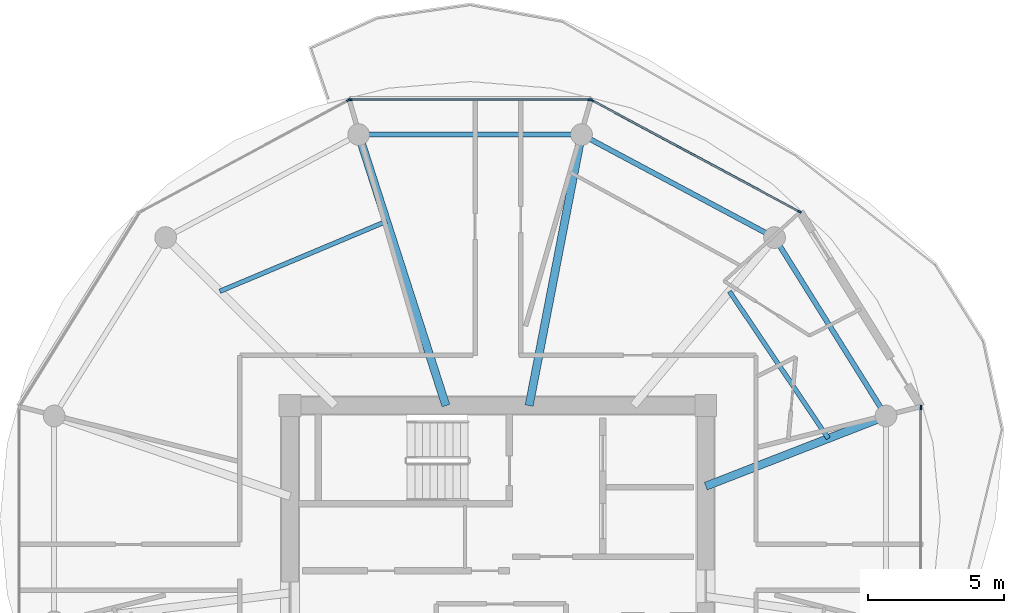
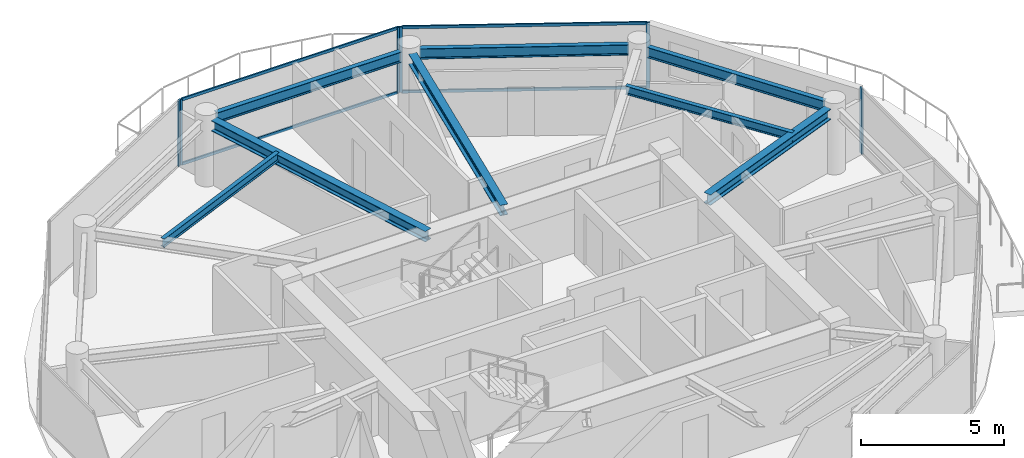
# One storey, part 10 of 23: 10 members, 8 beams, 4 elements without a shape of their own.
"""IFC4 building model written with IfcOpenShell, lengths in metres."""

import ifcopenshell
import ifcopenshell.guid

model = None  # the IFC model being written
_history = None  # IfcOwnerHistory: only IFC2X3 demands one
_inside = {}  # id of a spatial element -> (the spatial element, [elements in it])
_under = {}  # id of a project, library or spatial element -> (it, [spatial elements below it])
_declared = {}  # id of a project -> (the project, [libraries it declares])
_typed = {}  # id of a type object -> (the type object, [elements of that type])
_made_of = {}  # id of a material, layer set ... -> (it, [elements and type objects made of it])


def new_model(schema):
    """Start an empty IFC model of exactly this schema.

    Asked for "IFC4X3", IfcOpenShell would pick the latest addendum, in which some entities
    have other attributes; the version numbers below select the first issue.
    IFC2X3 requires an IfcOwnerHistory on every rooted entity: one is made here for all.
    """
    global model, _history
    if schema == "IFC4X3":
        model = ifcopenshell.file(schema_version=(4, 3, 0, 0))
    else:
        model = ifcopenshell.file(schema=schema)
    _inside.clear()
    _under.clear()
    _declared.clear()
    _typed.clear()
    _made_of.clear()
    _history = None
    if model.schema == "IFC2X3":
        org = make("IfcOrganization", Name="unknown")
        user = make(
            "IfcPersonAndOrganization",
            ThePerson=make("IfcPerson", FamilyName="unknown"),
            TheOrganization=org,
        )
        app = make(
            "IfcApplication",
            ApplicationDeveloper=org,
            Version="unknown",
            ApplicationFullName="unknown",
            ApplicationIdentifier="unknown",
        )
        _history = make(
            "IfcOwnerHistory",
            OwningUser=user,
            OwningApplication=app,
            ChangeAction="ADDED",
            CreationDate=0,
        )
    return model


def make(cls, **values):
    """One entity of the class cls with the attributes given. An attribute that is None is left unset."""
    return model.create_entity(
        cls, **{name: value for name, value in values.items() if value is not None}
    )


def rooted(cls, **values):
    """An entity with a GlobalId (a new one), such as an element, a storey or a relation."""
    return make(cls, GlobalId=ifcopenshell.guid.new(), OwnerHistory=_history, **values)


def si_unit(unit_type, name, prefix=None):
    """IfcSIUnit, for example si_unit("LENGTHUNIT", "METRE", prefix="MILLI")."""
    return make("IfcSIUnit", UnitType=unit_type, Prefix=prefix, Name=name)


def assignment(units):
    """IfcUnitAssignment: the units of a project."""
    return None if units is None else make("IfcUnitAssignment", Units=units)


def point(xyz):
    """IfcCartesianPoint."""
    return None if xyz is None else make("IfcCartesianPoint", Coordinates=xyz)


def direction(xyz):
    """IfcDirection."""
    return None if xyz is None else make("IfcDirection", DirectionRatios=xyz)


def frame(location, z_axis=None, x_axis=None):
    """IfcAxis2Placement3D, a coordinate frame: its origin and axes. An axis left out is left unset."""
    return make(
        "IfcAxis2Placement3D",
        Location=point(location),
        Axis=direction(z_axis),
        RefDirection=direction(x_axis),
    )


def frame_2d(location, x_axis=None):
    """IfcAxis2Placement2D, a coordinate frame in the plane: its origin and x axis."""
    return make(
        "IfcAxis2Placement2D", Location=point(location), RefDirection=direction(x_axis)
    )


def origin():
    """The frame at (0, 0, 0) with its axes left unset."""
    return frame((0.0, 0.0, 0.0))


def origin_2d():
    """The frame at (0, 0) in the plane with its x axis left unset."""
    return frame_2d((0.0, 0.0))


def place(relative_to, where):
    """IfcLocalPlacement: puts the frame where relative to a parent placement (None: the world)."""
    return make(
        "IfcLocalPlacement", PlacementRelTo=relative_to, RelativePlacement=where
    )


def context(
    kind, dimensions, precision=None, world=None, true_north=None, identifier=None
):
    """IfcGeometricRepresentationContext, for example the 3D "Model" context."""
    return make(
        "IfcGeometricRepresentationContext",
        ContextIdentifier=identifier,
        ContextType=kind,
        CoordinateSpaceDimension=dimensions,
        Precision=precision,
        WorldCoordinateSystem=world,
        TrueNorth=true_north,
    )


def subcontext(parent, identifier, kind, view, scale=None):
    """IfcGeometricRepresentationSubContext, for example "Body" below "Model"."""
    return make(
        "IfcGeometricRepresentationSubContext",
        ContextIdentifier=identifier,
        ContextType=kind,
        ParentContext=parent,
        TargetScale=scale,
        TargetView=view,
    )


def project(units=None, contexts=None):
    """IfcProject with its units and contexts."""
    return rooted(
        "IfcProject",
        Name="project",
        RepresentationContexts=contexts,
        UnitsInContext=assignment(units),
    )


def spatial(cls, under=None, at=None, **own):
    """A site, building, storey or space (cls), placed at a placement, below another one or the project."""
    s = rooted(cls, ObjectPlacement=at, **own)
    if under is not None:
        _under.setdefault(under.id(), (under, []))[1].append(s)
    return s


def profile(cls, at=None, kind="AREA", **sizes):
    """A parametric profile (cls). Its sizes go by their IFC names, for example OverallWidth=200.0."""
    return make(cls, ProfileType=kind, Position=at, **sizes)


def rectangle(**sizes):
    """IfcRectangleProfileDef."""
    return profile("IfcRectangleProfileDef", **sizes)


def i_section(**sizes):
    """IfcIShapeProfileDef."""
    return profile("IfcIShapeProfileDef", **sizes)


def extrude(swept, where, along, depth):
    """IfcExtrudedAreaSolid: the profile swept, set in the frame where, extruded along a direction by depth."""
    return make(
        "IfcExtrudedAreaSolid",
        SweptArea=swept,
        Position=where,
        ExtrudedDirection=direction(along),
        Depth=depth,
    )


def shape(context_of_items, identifier, shape_type, items):
    """IfcShapeRepresentation: the items that make up one representation, for example the "Body"."""
    return make(
        "IfcShapeRepresentation",
        ContextOfItems=context_of_items,
        RepresentationIdentifier=identifier,
        RepresentationType=shape_type,
        Items=items,
    )


def source(mapping_origin, context_of_items, identifier, shape_type, items):
    """IfcRepresentationMap: a shape defined once, which mapped items show again and again."""
    return make(
        "IfcRepresentationMap",
        MappingOrigin=mapping_origin,
        MappedRepresentation=shape(context_of_items, identifier, shape_type, items),
    )


def transform(
    local_origin,
    x_axis=None,
    y_axis=None,
    z_axis=None,
    scale=None,
    scale2=None,
    scale3=None,
    uniform=True,
):
    """IfcCartesianTransformationOperator3D, or its non-uniform kind. x_axis, y_axis, z_axis: its Axis1, 2, 3."""
    if uniform:
        return make(
            "IfcCartesianTransformationOperator3D",
            Axis1=direction(x_axis),
            Axis2=direction(y_axis),
            LocalOrigin=point(local_origin),
            Scale=scale,
            Axis3=direction(z_axis),
        )
    return make(
        "IfcCartesianTransformationOperator3DnonUniform",
        Axis1=direction(x_axis),
        Axis2=direction(y_axis),
        LocalOrigin=point(local_origin),
        Scale=scale,
        Axis3=direction(z_axis),
        Scale2=scale2,
        Scale3=scale3,
    )


def mapped(mapping_source, mapping_target):
    """IfcMappedItem: shows the shape of a source again, moved by a transform."""
    return make(
        "IfcMappedItem", MappingSource=mapping_source, MappingTarget=mapping_target
    )


def material(Name=None, Category=None):
    """IfcMaterial."""
    return make("IfcMaterial", Name=Name, Category=Category)


def layer(
    of_material, thickness, ventilated=None, Name=None, Category=None, Priority=None
):
    """IfcMaterialLayer: one layer of a wall or slab, of a material (None: an air gap)."""
    return make(
        "IfcMaterialLayer",
        Material=of_material,
        LayerThickness=thickness,
        IsVentilated=ventilated,
        Name=Name,
        Category=Category,
        Priority=Priority,
    )


def layer_set(layers, Name=None):
    """IfcMaterialLayerSet."""
    return make("IfcMaterialLayerSet", MaterialLayers=layers, LayerSetName=Name)


def material_profile(
    of_material, cross_section, Name=None, Category=None, Priority=None
):
    """IfcMaterialProfile: a cross section and its material."""
    return make(
        "IfcMaterialProfile",
        Name=Name,
        Material=of_material,
        Profile=cross_section,
        Priority=Priority,
        Category=Category,
    )


def profile_set(profiles, Name=None, composite=None):
    """IfcMaterialProfileSet."""
    return make(
        "IfcMaterialProfileSet",
        Name=Name,
        MaterialProfiles=profiles,
        CompositeProfile=composite,
    )


def made_of(thing, what):
    """Note that an element or type object is made of a material, layer set ...; save() writes the relation."""
    if what is not None:
        _made_of.setdefault(what.id(), (what, []))[1].append(thing)
    return thing


def type_object(cls, material=None, **own):
    """A type object (cls), such as IfcWallType, which elements share."""
    return made_of(rooted(cls, **own), material)


def type_shapes(of_type, sources):
    """Give a type object the sources (RepresentationMaps) that its elements show as mapped items."""
    of_type.RepresentationMaps = sources


def element(
    cls,
    number,
    at=None,
    inside=None,
    cuts=None,
    type_object=None,
    material=None,
    context=None,
    identifier="Body",
    shape_type=None,
    held_by="IfcProductDefinitionShape",
    body=None,
    shapes=None,
    **own,
):
    """One element of the class cls, such as IfcWall. Its Tag is "e" and its number.

    at: its placement. inside: the storey or other place that contains it. cuts: it is an
    opening in that element (IfcRelVoidsElement). A single representation is given by context,
    identifier, shape_type and body (its items); several are given by shapes. held_by: the class
    of the entity that holds the representations. save() writes the other relations.
    """
    e = rooted(cls, Tag="e%d" % number, ObjectPlacement=at, **own)
    if body is not None:
        shapes = [shape(context, identifier, shape_type, body)]
    if shapes is not None:
        e.Representation = make(held_by, Representations=shapes)
    if inside is not None:
        _inside.setdefault(inside.id(), (inside, []))[1].append(e)
    if cuts is not None:
        rooted(
            "IfcRelVoidsElement", RelatingBuildingElement=cuts, RelatedOpeningElement=e
        )
    if type_object is not None:
        _typed.setdefault(type_object.id(), (type_object, []))[1].append(e)
    return made_of(e, material)


def aggregate(whole, parts):
    """IfcRelAggregates: a whole, such as a stair, and the parts it consists of."""
    return rooted("IfcRelAggregates", RelatingObject=whole, RelatedObjects=parts)


def save(model, path):
    """Write the relations noted so far, then the file.

    IfcRelAggregates (storeys below a building ...), IfcRelContainedInSpatialStructure (elements
    in a storey), IfcRelDefinesByType, IfcRelAssociatesMaterial and IfcRelDeclares: one each for
    every whole, place, type object, material and project.
    """
    for whole, parts in _under.values():
        aggregate(whole, parts)
    for where, things in _inside.values():
        rooted(
            "IfcRelContainedInSpatialStructure",
            RelatedElements=things,
            RelatingStructure=where,
        )
    for kind, things in _typed.values():
        rooted("IfcRelDefinesByType", RelatedObjects=things, RelatingType=kind)
    for what, things in _made_of.values():
        rooted("IfcRelAssociatesMaterial", RelatedObjects=things, RelatingMaterial=what)
    for by, libraries in _declared.values():
        rooted("IfcRelDeclares", RelatingContext=by, RelatedDefinitions=libraries)
    model.write(path)


model = new_model("IFC4")

# Units and contexts
model_context = context("Model", 3, precision=1e-05, world=origin(), true_north=direction((0.0, 1.0)))
body_context = subcontext(model_context, "Body", "Model", "MODEL_VIEW")
ifc_project = project(units=[si_unit("LENGTHUNIT", "METRE"), si_unit("AREAUNIT", "SQUARE_METRE"), si_unit("VOLUMEUNIT", "CUBIC_METRE"), si_unit("PLANEANGLEUNIT", "RADIAN"), si_unit("MASSUNIT", "GRAM", prefix="KILO")], contexts=[model_context])

# Site, building, storey
site_placement = place(None, origin())
site = spatial("IfcSite", under=ifc_project, at=site_placement, CompositionType="ELEMENT")
building_placement = place(site_placement, origin())
building = spatial("IfcBuilding", under=site, at=building_placement, Name="Norrkilde Senior Care Towers", CompositionType="ELEMENT")
storey_placement = place(building_placement, frame((0.0, 0.0, 173.949951171875)))
storey = spatial("IfcBuildingStorey", under=building, at=storey_placement, Name="L54", CompositionType="ELEMENT", Elevation=173.949951171875)

# Beams
ifc_material_1 = material(Name="Steel S355", Category="steel")
ifc_material_profile_1 = material_profile(ifc_material_1, i_section(OverallWidth=0.18994140625, OverallDepth=0.449951171875, WebThickness=0.009521484375, FlangeThickness=0.0146484375, FilletRadius=0.02099609375, at=origin_2d()), Name="IPE 450")
ifc_profile_set_1 = profile_set([ifc_material_profile_1], Name="Steel S355")
beam_type_1 = type_object("IfcBeamType", Name="Perimeter Ring Spandrel Z3 IPE450", PredefinedType="SPANDREL", material=ifc_profile_set_1)
shared_shape_1 = source(origin(), body_context, "Body", "SweptSolid", [
    extrude(i_section(OverallWidth=0.18994140625, OverallDepth=0.449951171875, WebThickness=0.009521484375, FlangeThickness=0.0146484375, FilletRadius=0.02099609375, at=origin_2d()), origin(), (0.0, 0.0, 1.0), 7.0234375),
])
beam_1_placement = place(storey_placement, frame((42.09423828125, 5.872314453125, 2.5849609375), z_axis=(-0.529789577822, 0.848129119433, 0.0), x_axis=(-0.848129119433, -0.529789577822, 0.0)))
element("IfcBeam", 1, at=beam_1_placement, inside=storey, type_object=beam_type_1, Name="L54 Drum E Perimeter Spandrel 01", PredefinedType="SPANDREL", context=body_context, shape_type="MappedRepresentation", body=[
    mapped(shared_shape_1, transform((0.0, 0.0, 0.0), x_axis=(1.0, 0.0, 0.0), y_axis=(0.0, 1.0, 0.0), z_axis=(0.0, 0.0, 1.0), scale=1.0)),
])
shared_shape_2 = source(origin(), body_context, "Body", "SweptSolid", [
    extrude(i_section(OverallWidth=0.18994140625, OverallDepth=0.449951171875, WebThickness=0.009521484375, FlangeThickness=0.0146484375, FilletRadius=0.02099609375, at=origin_2d()), origin(), (0.0, 0.0, 1.0), 7.333740234375),
])
beam_2_placement = place(storey_placement, frame((37.864990234375, 12.303955078125, 2.5849609375), z_axis=(-0.882247866069, 0.470785198172, 0.0), x_axis=(-0.470785198172, -0.882247866069, 0.0)))
element("IfcBeam", 2, at=beam_2_placement, inside=storey, type_object=beam_type_1, Name="L54 Drum E Perimeter Spandrel 02", PredefinedType="SPANDREL", context=body_context, shape_type="MappedRepresentation", body=[
    mapped(shared_shape_2, transform((0.0, 0.0, 0.0), x_axis=(1.0, 0.0, 0.0), y_axis=(0.0, 1.0, 0.0), z_axis=(0.0, 0.0, 1.0), scale=1.0)),
])
shared_shape_3 = source(origin(), body_context, "Body", "SweptSolid", [
    extrude(i_section(OverallWidth=0.18994140625, OverallDepth=0.449951171875, WebThickness=0.009521484375, FlangeThickness=0.0146484375, FilletRadius=0.02099609375, at=origin_2d()), origin(), (0.0, 0.0, 1.0), 7.484619140625),
])
type_shapes(beam_type_1, [shared_shape_1, shared_shape_2, shared_shape_3])
beam_3_placement = place(storey_placement, frame((30.71728515625, 15.92626953125, 2.5849609375), z_axis=(-1.0, 0.0, 0.0), x_axis=(0.0, -1.0, 0.0)))
element("IfcBeam", 3, at=beam_3_placement, inside=storey, type_object=beam_type_1, Name="L54 Drum E Perimeter Spandrel 03", PredefinedType="SPANDREL", context=body_context, shape_type="MappedRepresentation", body=[
    mapped(shared_shape_3, transform((0.0, 0.0, 0.0), x_axis=(1.0, 0.0, 0.0), y_axis=(0.0, 1.0, 0.0), z_axis=(0.0, 0.0, 1.0), scale=1.0)),
])
ifc_material_profile_2 = material_profile(ifc_material_1, i_section(OverallWidth=0.300048828125, OverallDepth=0.449951171875, WebThickness=0.013916015625, FlangeThickness=0.02587890625, FilletRadius=0.027099609375, at=origin_2d()), Name="HEB 450")
ifc_profile_set_2 = profile_set([ifc_material_profile_2], Name="Steel S355")
beam_type_2 = type_object("IfcBeamType", Name="Radial Floor Beam Z3 HEB450", PredefinedType="BEAM", material=ifc_profile_set_2)
shared_shape_4 = source(origin(), body_context, "Body", "SweptSolid", [
    extrude(i_section(OverallWidth=0.300048828125, OverallDepth=0.449951171875, WebThickness=0.013916015625, FlangeThickness=0.02587890625, FilletRadius=0.027099609375, at=origin_2d()), origin(), (0.0, 0.0, 1.0), 10.120361328125),
])
beam_4_placement = place(storey_placement, frame((26.08447265625, 5.949951171875, 2.5849609375), z_axis=(-0.306440973744, 0.951889662519, 0.0), x_axis=(-0.951889662519, -0.306440973744, 0.0)))
element("IfcBeam", 4, at=beam_4_placement, inside=storey, type_object=beam_type_2, Name="L54 Drum E Radial Floor Beam 04", PredefinedType="BEAM", context=body_context, shape_type="MappedRepresentation", body=[
    mapped(shared_shape_4, transform((0.0, 0.0, 0.0), x_axis=(1.0, 0.0, 0.0), y_axis=(0.0, 1.0, 0.0), z_axis=(0.0, 0.0, 1.0), scale=1.0)),
])
shared_shape_5 = source(origin(), body_context, "Body", "SweptSolid", [
    extrude(i_section(OverallWidth=0.300048828125, OverallDepth=0.449951171875, WebThickness=0.013916015625, FlangeThickness=0.02587890625, FilletRadius=0.027099609375, at=origin_2d()), origin(), (0.0, 0.0, 1.0), 9.80078125),
])
beam_5_placement = place(storey_placement, frame((29.149658203125, 5.949951171875, 2.5849609375), z_axis=(0.189716727661, 0.98183886827, 0.0), x_axis=(-0.98183886827, 0.189716727661, 0.0)))
element("IfcBeam", 5, at=beam_5_placement, inside=storey, type_object=beam_type_2, Name="L54 Drum E Radial Floor Beam 03", PredefinedType="BEAM", context=body_context, shape_type="MappedRepresentation", body=[
    mapped(shared_shape_5, transform((0.0, 0.0, 0.0), x_axis=(1.0, 0.0, 0.0), y_axis=(0.0, 1.0, 0.0), z_axis=(0.0, 0.0, 1.0), scale=1.0)),
])
shared_shape_6 = source(origin(), body_context, "Body", "SweptSolid", [
    extrude(i_section(OverallWidth=0.300048828125, OverallDepth=0.449951171875, WebThickness=0.013916015625, FlangeThickness=0.02587890625, FilletRadius=0.027099609375, at=origin_2d()), origin(), (0.0, 0.0, 1.0), 6.760986328125),
])
type_shapes(beam_type_2, [shared_shape_4, shared_shape_5, shared_shape_6])
beam_6_placement = place(storey_placement, frame((35.64990234375, 2.981201171875, 2.5849609375), z_axis=(0.931742171387, 0.363120539297, 0.0), x_axis=(-0.363120539297, 0.931742171387, 0.0)))
element("IfcBeam", 6, at=beam_6_placement, inside=storey, type_object=beam_type_2, Name="L54 Drum E Radial Floor Beam 01", PredefinedType="BEAM", context=body_context, shape_type="MappedRepresentation", body=[
    mapped(shared_shape_6, transform((0.0, 0.0, 0.0), x_axis=(1.0, 0.0, 0.0), y_axis=(0.0, 1.0, 0.0), z_axis=(0.0, 0.0, 1.0), scale=1.0)),
])
ifc_material_profile_3 = material_profile(ifc_material_1, i_section(OverallWidth=0.169921875, OverallDepth=0.360107421875, WebThickness=0.008056640625, FlangeThickness=0.0126953125, FilletRadius=0.01806640625, at=origin_2d()), Name="IPE 360")
ifc_profile_set_3 = profile_set([ifc_material_profile_3], Name="Steel S355")
beam_type_3 = type_object("IfcBeamType", Name="Secondary Floor Joist IPE360", PredefinedType="JOIST", material=ifc_profile_set_3)
shared_shape_7 = source(origin(), body_context, "Body", "SweptSolid", [
    extrude(i_section(OverallWidth=0.169921875, OverallDepth=0.360107421875, WebThickness=0.008056640625, FlangeThickness=0.0126953125, FilletRadius=0.01806640625, at=origin_2d()), origin(), (0.0, 0.0, 1.0), 6.657470703125),
])
beam_7_placement = place(storey_placement, frame((23.900390625, 12.73388671875, 2.630126953125), z_axis=(-0.921958799252, -0.387287971, 0.0), x_axis=(0.387287971, -0.921958799252, 0.0)))
element("IfcBeam", 7, at=beam_7_placement, inside=storey, type_object=beam_type_3, Name="L54 Drum E Secondary Floor Joist 2", PredefinedType="JOIST", context=body_context, shape_type="MappedRepresentation", body=[
    mapped(shared_shape_7, transform((0.0, 0.0, 0.0), x_axis=(1.0, 0.0, 0.0), y_axis=(0.0, 1.0, 0.0), z_axis=(0.0, 0.0, 1.0), scale=1.0)),
])
shared_shape_8 = source(origin(), body_context, "Body", "SweptSolid", [
    extrude(i_section(OverallWidth=0.169921875, OverallDepth=0.360107421875, WebThickness=0.008056640625, FlangeThickness=0.0126953125, FilletRadius=0.01806640625, at=origin_2d()), origin(), (0.0, 0.0, 1.0), 6.525390625),
])
type_shapes(beam_type_3, [shared_shape_7, shared_shape_8])
beam_8_placement = place(storey_placement, frame((40.161865234375, 4.739501953125, 2.630126953125), z_axis=(-0.55779590102, 0.829978152005, 0.0), x_axis=(-0.829978152005, -0.55779590102, 0.0)))
element("IfcBeam", 8, at=beam_8_placement, inside=storey, type_object=beam_type_3, Name="L54 Drum E Secondary Floor Joist 1", PredefinedType="JOIST", context=body_context, shape_type="MappedRepresentation", body=[
    mapped(shared_shape_8, transform((0.0, 0.0, 0.0), x_axis=(1.0, 0.0, 0.0), y_axis=(0.0, 1.0, 0.0), z_axis=(0.0, 0.0, 1.0), scale=1.0)),
])

# Curtain wall, members
ifc_material_2 = material(Name="Triple Low-E Insulated Glazing", Category="glass")
ifc_layer = layer(ifc_material_2, 0.18994140625)
ifc_layer_set = layer_set([ifc_layer], Name="Triple Low-E Insulated Glazing")
curtain_wall_type = type_object("IfcCurtainWallType", Name="CW4 Zone 3 Senior Residence Curtain Wall", PredefinedType="NOTDEFINED", material=ifc_layer_set)
curtain_wall_1_placement = place(storey_placement, origin())
curtain_wall_1 = element("IfcCurtainWall", 9, at=curtain_wall_1_placement, inside=storey, type_object=curtain_wall_type, Name="L54 Drum E Curtain Wall 01", PredefinedType="NOTDEFINED")
ifc_material_3 = material(Name="Anodised Aluminium", Category="aluminium")
ifc_material_profile_4 = material_profile(ifc_material_3, rectangle(XDim=0.06494140625, YDim=0.14990234375, at=origin_2d()), Name="ALU MULL 65x150")
ifc_profile_set_4 = profile_set([ifc_material_profile_4], Name="Anodised Aluminium")
member_type_1 = type_object("IfcMemberType", Name="Curtain Wall Mullion Z3-Z4 65x150", PredefinedType="MULLION", material=ifc_profile_set_4)
shared_shape_9 = source(origin(), body_context, "Body", "SweptSolid", [
    extrude(rectangle(XDim=0.06494140625, YDim=0.14990234375, at=origin_2d()), origin(), (0.0, 0.0, 1.0), 2.81005859375),
])
type_shapes(member_type_1, [shared_shape_9])
member_1_placement = place(storey_placement, frame((31.4501953125, 17.195556640625, 0.0), z_axis=(0.0, 0.0, 1.0), x_axis=(0.47311715104, 0.880999524059, 0.0)))
member_1 = element("IfcMember", 10, at=member_1_placement, type_object=member_type_1, Name="CW-4 mullion 1", PredefinedType="MULLION", context=body_context, shape_type="MappedRepresentation", body=[
    mapped(shared_shape_9, transform((0.0, 0.0, 0.0), x_axis=(1.0, 0.0, 0.0), y_axis=(0.0, 1.0, 0.0), z_axis=(0.0, 0.0, 1.0), scale=1.0)),
])
member_2_placement = place(storey_placement, frame((39.094482421875, 13.09033203125, 0.0), z_axis=(0.0, 0.0, 1.0), x_axis=(0.47311715104, 0.880999524059, 0.0)))
member_2 = element("IfcMember", 11, at=member_2_placement, type_object=member_type_1, Name="CW-4 mullion 2", PredefinedType="MULLION", context=body_context, shape_type="MappedRepresentation", body=[
    mapped(shared_shape_9, transform((0.0, 0.0, 0.0), x_axis=(1.0, 0.0, 0.0), y_axis=(0.0, 1.0, 0.0), z_axis=(0.0, 0.0, 1.0), scale=1.0)),
])

curtain_wall_2_placement = place(storey_placement, origin())
curtain_wall_2 = element("IfcCurtainWall", 12, at=curtain_wall_2_placement, inside=storey, type_object=curtain_wall_type, Name="L54 Drum E Curtain Wall 02", PredefinedType="NOTDEFINED")
member_3_placement = place(storey_placement, frame((22.56103515625, 17.2109375, 0.0), z_axis=(0.0, 0.0, 1.0), x_axis=(0.0, 1.0, 0.0)))
member_3 = element("IfcMember", 13, at=member_3_placement, type_object=member_type_1, Name="CW-4 mullion 1", PredefinedType="MULLION", context=body_context, shape_type="MappedRepresentation", body=[
    mapped(shared_shape_9, transform((0.0, 0.0, 0.0), x_axis=(1.0, 0.0, 0.0), y_axis=(0.0, 1.0, 0.0), z_axis=(0.0, 0.0, 1.0), scale=1.0)),
])
member_4_placement = place(storey_placement, frame((31.388916015625, 17.2109375, 0.0), z_axis=(0.0, 0.0, 1.0), x_axis=(0.0, 1.0, 0.0)))
member_4 = element("IfcMember", 14, at=member_4_placement, type_object=member_type_1, Name="CW-4 mullion 2", PredefinedType="MULLION", context=body_context, shape_type="MappedRepresentation", body=[
    mapped(shared_shape_9, transform((0.0, 0.0, 0.0), x_axis=(1.0, 0.0, 0.0), y_axis=(0.0, 1.0, 0.0), z_axis=(0.0, 0.0, 1.0), scale=1.0)),
])

# Curtain wall, member
curtain_wall_3_placement = place(storey_placement, origin())
curtain_wall_3 = element("IfcCurtainWall", 15, at=curtain_wall_3_placement, inside=storey, type_object=curtain_wall_type, Name="L54 Drum E Curtain Wall 03", PredefinedType="NOTDEFINED")
member_5_placement = place(storey_placement, frame((22.499755859375, 17.195556640625, 0.0), z_axis=(0.0, 0.0, 1.0), x_axis=(-0.47311715104, 0.880999524059, 0.0)))
member_5 = element("IfcMember", 16, at=member_5_placement, type_object=member_type_1, Name="CW-4 mullion 2", PredefinedType="MULLION", context=body_context, shape_type="MappedRepresentation", body=[
    mapped(shared_shape_9, transform((0.0, 0.0, 0.0), x_axis=(1.0, 0.0, 0.0), y_axis=(0.0, 1.0, 0.0), z_axis=(0.0, 0.0, 1.0), scale=1.0)),
])
aggregate(curtain_wall_3, [member_5])

curtain_wall_4_placement = place(storey_placement, origin())
curtain_wall_4 = element("IfcCurtainWall", 17, at=curtain_wall_4_placement, inside=storey, type_object=curtain_wall_type, Name="L54 Drum E Curtain Wall 11", PredefinedType="NOTDEFINED")
member_6_placement = place(storey_placement, frame((43.569580078125, 5.878662109375, 0.0), z_axis=(0.0, 0.0, 1.0), x_axis=(1.0, 0.0, 0.0)))
member_6 = element("IfcMember", 18, at=member_6_placement, type_object=member_type_1, Name="CW-4 mullion 1", PredefinedType="MULLION", context=body_context, shape_type="MappedRepresentation", body=[
    mapped(shared_shape_9, transform((0.0, 0.0, 0.0), x_axis=(1.0, 0.0, 0.0), y_axis=(0.0, 1.0, 0.0), z_axis=(0.0, 0.0, 1.0), scale=1.0)),
])
aggregate(curtain_wall_4, [member_6])

# Member
ifc_material_profile_5 = material_profile(ifc_material_3, rectangle(XDim=0.06005859375, YDim=0.1201171875, at=origin_2d()), Name="ALU TRAN 60x120")
ifc_profile_set_5 = profile_set([ifc_material_profile_5], Name="Anodised Aluminium")
member_type_2 = type_object("IfcMemberType", Name="Curtain Wall Transom Typical 60x120", PredefinedType="USERDEFINED", material=ifc_profile_set_5)
shared_shape_10 = source(origin(), body_context, "Body", "SweptSolid", [
    extrude(rectangle(XDim=0.06005859375, YDim=0.1201171875, at=origin_2d()), origin(), (0.0, 0.0, 1.0), 8.762939453125),
])
member_7_placement = place(storey_placement, frame((22.593505859375, 17.2109375, 0.030029296875), z_axis=(1.0, 0.0, 0.0), x_axis=(0.0, 1.0, 0.0)))
member_7 = element("IfcMember", 19, at=member_7_placement, type_object=member_type_2, Name="CW-4 transom 1.1", ObjectType="TRANSOM", PredefinedType="USERDEFINED", context=body_context, shape_type="MappedRepresentation", body=[
    mapped(shared_shape_10, transform((0.0, 0.0, 0.0), x_axis=(1.0, 0.0, 0.0), y_axis=(0.0, 1.0, 0.0), z_axis=(0.0, 0.0, 1.0), scale=1.0)),
])

member_8_placement = place(storey_placement, frame((22.593505859375, 17.2109375, 2.780029296875), z_axis=(1.0, 0.0, 0.0), x_axis=(0.0, 1.0, 0.0)))
member_8 = element("IfcMember", 20, at=member_8_placement, type_object=member_type_2, Name="CW-4 transom 1.2", ObjectType="TRANSOM", PredefinedType="USERDEFINED", context=body_context, shape_type="MappedRepresentation", body=[
    mapped(shared_shape_10, transform((0.0, 0.0, 0.0), x_axis=(1.0, 0.0, 0.0), y_axis=(0.0, 1.0, 0.0), z_axis=(0.0, 0.0, 1.0), scale=1.0)),
])

aggregate(curtain_wall_2, [member_3, member_4, member_7, member_8])

shared_shape_11 = source(origin(), body_context, "Body", "SweptSolid", [
    extrude(rectangle(XDim=0.06005859375, YDim=0.1201171875, at=origin_2d()), origin(), (0.0, 0.0, 1.0), 8.612060546875),
])
type_shapes(member_type_2, [shared_shape_10, shared_shape_11])
member_9_placement = place(storey_placement, frame((31.478759765625, 17.18017578125, 0.030029296875), z_axis=(0.881000337462, -0.473115636384, 0.0), x_axis=(0.473115636384, 0.881000337462, 0.0)))
member_9 = element("IfcMember", 21, at=member_9_placement, type_object=member_type_2, Name="CW-4 transom 1.1", ObjectType="TRANSOM", PredefinedType="USERDEFINED", context=body_context, shape_type="MappedRepresentation", body=[
    mapped(shared_shape_11, transform((0.0, 0.0, 0.0), x_axis=(1.0, 0.0, 0.0), y_axis=(0.0, 1.0, 0.0), z_axis=(0.0, 0.0, 1.0), scale=1.0)),
])

member_10_placement = place(storey_placement, frame((31.478759765625, 17.18017578125, 2.780029296875), z_axis=(0.881000337462, -0.473115636384, 0.0), x_axis=(0.473115636384, 0.881000337462, 0.0)))
member_10 = element("IfcMember", 22, at=member_10_placement, type_object=member_type_2, Name="CW-4 transom 1.2", ObjectType="TRANSOM", PredefinedType="USERDEFINED", context=body_context, shape_type="MappedRepresentation", body=[
    mapped(shared_shape_11, transform((0.0, 0.0, 0.0), x_axis=(1.0, 0.0, 0.0), y_axis=(0.0, 1.0, 0.0), z_axis=(0.0, 0.0, 1.0), scale=1.0)),
])

aggregate(curtain_wall_1, [member_1, member_2, member_9, member_10])

save(model, "model.ifc")
